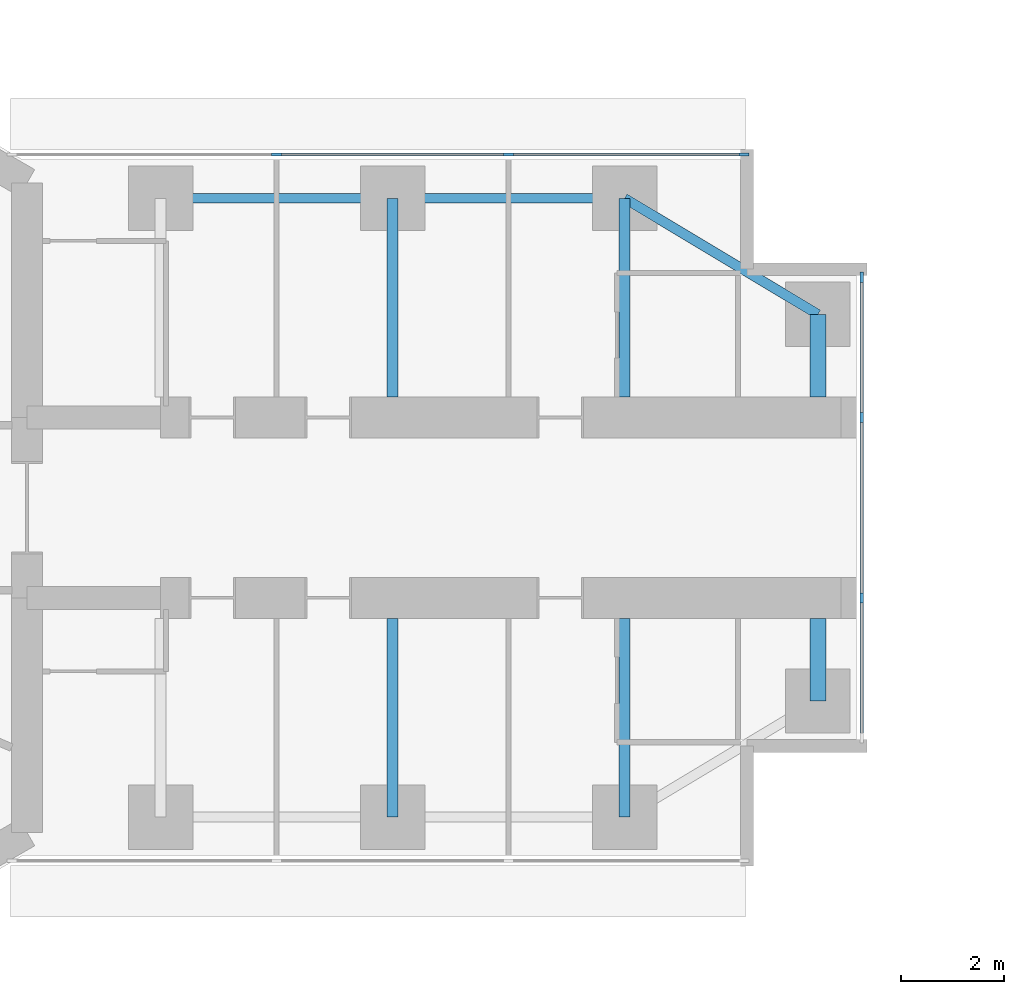
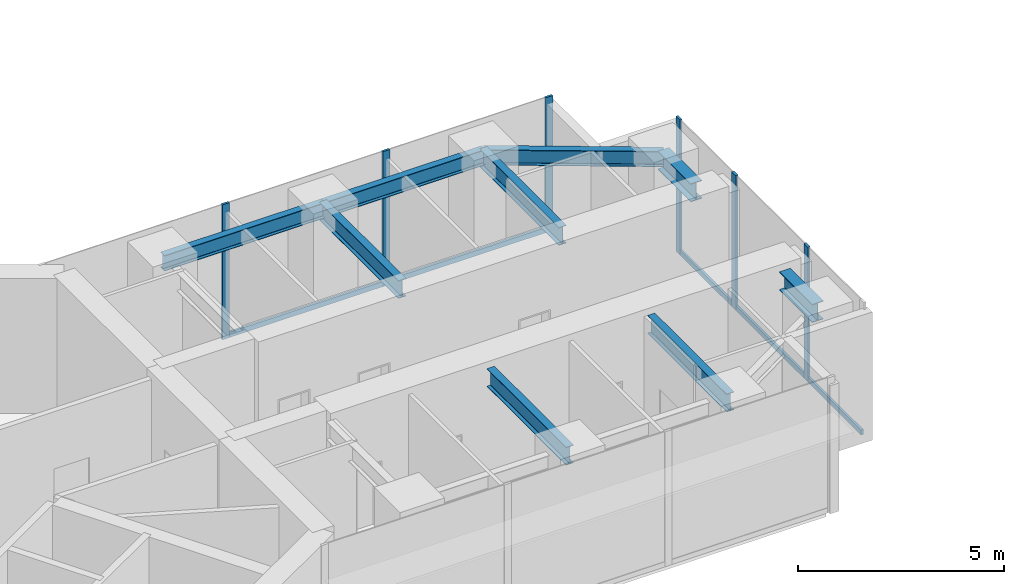
# One storey, part 7 of 23: 11 members, 9 beams, 2 elements without a shape of their own.
"""IFC4 building model written with IfcOpenShell, lengths in metres."""

from ifc_helpers import new_model, si_unit, direction, frame, origin, origin_2d, place, context, subcontext, project, spatial, rectangle, i_section, extrude, material, material_profile, profile_set, type_object, element, aggregate, save


model = new_model("IFC4")

# Units and contexts
model_context = context("Model", 3, precision=1e-05, world=origin(), true_north=direction((0.0, 1.0)))
body_context = subcontext(model_context, "Body", "Model", "MODEL_VIEW")
ifc_project = project(units=[si_unit("LENGTHUNIT", "METRE"), si_unit("AREAUNIT", "SQUARE_METRE"), si_unit("VOLUMEUNIT", "CUBIC_METRE"), si_unit("PLANEANGLEUNIT", "RADIAN"), si_unit("MASSUNIT", "GRAM", prefix="KILO")], contexts=[model_context])

# Site, building, storey
site_placement = place(None, origin())
site = spatial("IfcSite", under=ifc_project, at=site_placement, CompositionType="ELEMENT")
building_placement = place(site_placement, origin())
building = spatial("IfcBuilding", under=site, at=building_placement, Name="Upepo Twin Towers", CompositionType="ELEMENT")
storey_placement = place(building_placement, frame((0.0, 0.0, 153.5)))
storey = spatial("IfcBuildingStorey", under=building, at=storey_placement, Name="L37", CompositionType="ELEMENT", Elevation=153.5)

# Beams
ifc_material_1 = material(Name="Steel S355", Category="steel")
ifc_material_profile_1 = material_profile(ifc_material_1, i_section(OverallWidth=0.1904296875, OverallDepth=0.45703125, WebThickness=0.009033203125, FlangeThickness=0.014404296875, FilletRadius=0.01025390625, at=origin_2d()), Name="UB 457x191x74")
ifc_profile_set_1 = profile_set([ifc_material_profile_1], Name="Steel S355")
beam_type_1 = type_object("IfcBeamType", Name="Beam UB 457x191x74", PredefinedType="BEAM", material=ifc_profile_set_1)
for number, where, z_axis, x_axis, name in (
    (1, (13.5, 6.0, 3.571533203125), (1.0, 0.0, 0.0), (0.0, 1.0, 0.0), "T1 edge beam AL 13.5-18.0"),
    (2, (18.0, 6.0, 3.571533203125), (1.0, 0.0, 0.0), (0.0, 1.0, 0.0), "T1 edge beam AL 18.0-22.5"),
):
    element("IfcBeam", number, at=place(storey_placement, frame(where, z_axis=z_axis, x_axis=x_axis)), inside=storey, type_object=beam_type_1, Name=name, PredefinedType="BEAM", context=body_context, shape_type="SweptSolid", body=[
        extrude(i_section(OverallWidth=0.1904296875, OverallDepth=0.45703125, WebThickness=0.009033203125, FlangeThickness=0.014404296875, FilletRadius=0.01025390625, at=origin_2d()), origin(), (0.0, 0.0, 1.0), 4.5),
    ])
beam_placement = place(storey_placement, frame((22.5, 6.0, 3.571533203125), z_axis=(0.857492925713, -0.514495755428, 0.0), x_axis=(0.514495755428, 0.857492925713, 0.0)))
element("IfcBeam", 3, at=beam_placement, inside=storey, type_object=beam_type_1, Name="T1 nose edge beam AL", PredefinedType="BEAM", context=body_context, shape_type="SweptSolid", body=[
    extrude(i_section(OverallWidth=0.1904296875, OverallDepth=0.45703125, WebThickness=0.009033203125, FlangeThickness=0.014404296875, FilletRadius=0.01025390625, at=origin_2d()), origin(), (0.0, 0.0, 1.0), 4.373291015625),
])
ifc_material_2 = material(Name="Steel S355", Category="steel")
ifc_material_profile_2 = material_profile(ifc_material_2, i_section(OverallWidth=0.209228515625, OverallDepth=0.533203125, WebThickness=0.010009765625, FlangeThickness=0.015625, FilletRadius=0.0126953125, at=origin_2d()), Name="UB 533x210x92")
ifc_profile_set_2 = profile_set([ifc_material_profile_2], Name="Steel S355")
beam_type_2 = type_object("IfcBeamType", Name="Beam UB 533x210x92", PredefinedType="BEAM", material=ifc_profile_set_2)
for number, where, z_axis, x_axis, name in (
    (4, (18.0, 6.0, 3.533447265625), (0.0, -1.0, 0.0), (1.0, 0.0, 0.0), "T1 girder AL at 18.0"),
    (5, (22.5, 6.0, 3.533447265625), (0.0, -1.0, 0.0), (1.0, 0.0, 0.0), "T1 girder AL at 22.5"),
    (6, (18.0, -6.0, 3.533447265625), (0.0, 1.0, 0.0), (-1.0, 0.0, 0.0), "T1 girder AR at 18.0"),
    (7, (22.5, -6.0, 3.533447265625), (0.0, 1.0, 0.0), (-1.0, 0.0, 0.0), "T1 girder AR at 22.5"),
):
    element("IfcBeam", number, at=place(storey_placement, frame(where, z_axis=z_axis, x_axis=x_axis)), inside=storey, type_object=beam_type_2, Name=name, PredefinedType="BEAM", context=body_context, shape_type="SweptSolid", body=[
        extrude(i_section(OverallWidth=0.209228515625, OverallDepth=0.533203125, WebThickness=0.010009765625, FlangeThickness=0.015625, FilletRadius=0.0126953125, at=origin_2d()), origin(), (0.0, 0.0, 1.0), 3.85009765625),
    ])
ifc_material_3 = material(Name="Steel S355", Category="steel")
ifc_material_profile_3 = material_profile(ifc_material_3, i_section(OverallWidth=0.31201171875, OverallDepth=0.54345703125, WebThickness=0.0126953125, FlangeThickness=0.020263671875, FilletRadius=0.0126953125, at=origin_2d()), Name="UB 533x312x150")
ifc_profile_set_3 = profile_set([ifc_material_profile_3], Name="Steel S355")
beam_type_3 = type_object("IfcBeamType", Name="Beam UB 533x312x150", PredefinedType="BEAM", material=ifc_profile_set_3)
for number, where, z_axis, x_axis, name in (
    (8, (26.25, 3.75, 3.5283203125), (0.0, -1.0, 0.0), (1.0, 0.0, 0.0), "T1 nose beam AL"),
    (9, (26.25, -3.75, 3.5283203125), (0.0, 1.0, 0.0), (-1.0, 0.0, 0.0), "T1 nose beam AR"),
):
    element("IfcBeam", number, at=place(storey_placement, frame(where, z_axis=z_axis, x_axis=x_axis)), inside=storey, type_object=beam_type_3, Name=name, PredefinedType="BEAM", context=body_context, shape_type="SweptSolid", body=[
        extrude(i_section(OverallWidth=0.31201171875, OverallDepth=0.54345703125, WebThickness=0.0126953125, FlangeThickness=0.020263671875, FilletRadius=0.0126953125, at=origin_2d()), origin(), (0.0, 0.0, 1.0), 1.60009765625),
    ])

# Curtain wall, members
ifc_material_4 = material(Name="Aluminium and fritted glass", Category="aluminium")
curtain_wall_type = type_object("IfcCurtainWallType", Name="Tower curtain wall TW2, fritted glass", PredefinedType="NOTDEFINED", material=ifc_material_4)
curtain_wall_1_placement = place(storey_placement, origin())
curtain_wall_1 = element("IfcCurtainWall", 10, at=curtain_wall_1_placement, inside=storey, type_object=curtain_wall_type, Name="T1 L37 wing A flank L curtain wall", PredefinedType="NOTDEFINED")
ifc_material_5 = material(Name="Aluminium mullion", Category="aluminium")
ifc_material_profile_4 = material_profile(ifc_material_5, rectangle(XDim=0.06494140625, YDim=0.199951171875, at=origin_2d()), Name="MULLION 65x200")
ifc_profile_set_4 = profile_set([ifc_material_profile_4], Name="Aluminium mullion")
member_type_1 = type_object("IfcMemberType", Name="Mullion 65x200 TW2", PredefinedType="MULLION", material=ifc_profile_set_4)
member_1_placement = place(storey_placement, frame((15.75, 6.85009765625, 0.0), z_axis=(0.0, 0.0, 1.0), x_axis=(0.0, 1.0, 0.0)))
member_1 = element("IfcMember", 11, at=member_1_placement, type_object=member_type_1, Name="T1 L37 wing A flank L curtain wall mullion 2", PredefinedType="MULLION", context=body_context, shape_type="SweptSolid", body=[
    extrude(rectangle(XDim=0.06494140625, YDim=0.199951171875, at=origin_2d()), origin(), (0.0, 0.0, 1.0), 4.0),
])
member_2_placement = place(storey_placement, frame((20.25, 6.85009765625, 0.0), z_axis=(0.0, 0.0, 1.0), x_axis=(0.0, 1.0, 0.0)))
member_2 = element("IfcMember", 12, at=member_2_placement, type_object=member_type_1, Name="T1 L37 wing A flank L curtain wall mullion 3", PredefinedType="MULLION", context=body_context, shape_type="SweptSolid", body=[
    extrude(rectangle(XDim=0.06494140625, YDim=0.199951171875, at=origin_2d()), origin(), (0.0, 0.0, 1.0), 4.0),
])
member_3_placement = place(storey_placement, frame((24.8173828125, 6.85009765625, 0.0), z_axis=(0.0, 0.0, 1.0), x_axis=(0.0, 1.0, 0.0)))
member_3 = element("IfcMember", 13, at=member_3_placement, type_object=member_type_1, Name="T1 L37 wing A flank L curtain wall mullion 4", PredefinedType="MULLION", context=body_context, shape_type="SweptSolid", body=[
    extrude(rectangle(XDim=0.06494140625, YDim=0.199951171875, at=origin_2d()), origin(), (0.0, 0.0, 1.0), 4.0),
])

curtain_wall_2_placement = place(storey_placement, origin())
curtain_wall_2 = element("IfcCurtainWall", 14, at=curtain_wall_2_placement, inside=storey, type_object=curtain_wall_type, Name="T1 L37 wing A nose curtain wall", PredefinedType="NOTDEFINED")
member_4_placement = place(storey_placement, frame((27.10009765625, -1.75, 0.0), z_axis=(0.0, 0.0, 1.0), x_axis=(-1.0, 0.0, 0.0)))
member_4 = element("IfcMember", 15, at=member_4_placement, type_object=member_type_1, Name="T1 L37 wing A nose curtain wall mullion 2", PredefinedType="MULLION", context=body_context, shape_type="SweptSolid", body=[
    extrude(rectangle(XDim=0.06494140625, YDim=0.199951171875, at=origin_2d()), origin(), (0.0, 0.0, 1.0), 4.0),
])
member_5_placement = place(storey_placement, frame((27.10009765625, 1.75, 0.0), z_axis=(0.0, 0.0, 1.0), x_axis=(-1.0, 0.0, 0.0)))
member_5 = element("IfcMember", 16, at=member_5_placement, type_object=member_type_1, Name="T1 L37 wing A nose curtain wall mullion 3", PredefinedType="MULLION", context=body_context, shape_type="SweptSolid", body=[
    extrude(rectangle(XDim=0.06494140625, YDim=0.199951171875, at=origin_2d()), origin(), (0.0, 0.0, 1.0), 4.0),
])
member_6_placement = place(storey_placement, frame((27.10009765625, 4.467529296875, 0.0), z_axis=(0.0, 0.0, 1.0), x_axis=(-1.0, 0.0, 0.0)))
member_6 = element("IfcMember", 17, at=member_6_placement, type_object=member_type_1, Name="T1 L37 wing A nose curtain wall mullion 4", PredefinedType="MULLION", context=body_context, shape_type="SweptSolid", body=[
    extrude(rectangle(XDim=0.06494140625, YDim=0.199951171875, at=origin_2d()), origin(), (0.0, 0.0, 1.0), 4.0),
])

# Member
ifc_material_6 = material(Name="Aluminium transom", Category="aluminium")
ifc_material_profile_5 = material_profile(ifc_material_6, rectangle(XDim=0.06494140625, YDim=0.14990234375, at=origin_2d()), Name="TRANSOM 65x150")
ifc_profile_set_5 = profile_set([ifc_material_profile_5], Name="Aluminium transom")
member_type_2 = type_object("IfcMemberType", Name="Transom 65x150 TW2", PredefinedType="USERDEFINED", material=ifc_profile_set_5)
member_7_placement = place(storey_placement, frame((15.782470703125, 6.85009765625, 0.074951171875), z_axis=(1.0, 0.0, 0.0), x_axis=(0.0, 1.0, 0.0)))
member_7 = element("IfcMember", 18, at=member_7_placement, type_object=member_type_2, Name="T1 L37 wing A flank L curtain wall transom 2", ObjectType="TRANSOM", PredefinedType="USERDEFINED", context=body_context, shape_type="SweptSolid", body=[
    extrude(rectangle(XDim=0.06494140625, YDim=0.14990234375, at=origin_2d()), origin(), (0.0, 0.0, 1.0), 4.43505859375),
])

member_8_placement = place(storey_placement, frame((20.282470703125, 6.85009765625, 0.074951171875), z_axis=(1.0, 0.0, 0.0), x_axis=(0.0, 1.0, 0.0)))
member_8 = element("IfcMember", 19, at=member_8_placement, type_object=member_type_2, Name="T1 L37 wing A flank L curtain wall transom 3", ObjectType="TRANSOM", PredefinedType="USERDEFINED", context=body_context, shape_type="SweptSolid", body=[
    extrude(rectangle(XDim=0.06494140625, YDim=0.14990234375, at=origin_2d()), origin(), (0.0, 0.0, 1.0), 4.50244140625),
])

aggregate(curtain_wall_1, [member_1, member_2, member_3, member_7, member_8])

member_9_placement = place(storey_placement, frame((27.10009765625, -4.43505859375, 0.074951171875), z_axis=(0.0, 1.0, 0.0), x_axis=(-1.0, 0.0, 0.0)))
member_9 = element("IfcMember", 20, at=member_9_placement, type_object=member_type_2, Name="T1 L37 wing A nose curtain wall transom 1", ObjectType="TRANSOM", PredefinedType="USERDEFINED", context=body_context, shape_type="SweptSolid", body=[
    extrude(rectangle(XDim=0.06494140625, YDim=0.14990234375, at=origin_2d()), origin(), (0.0, 0.0, 1.0), 2.652587890625),
])

member_10_placement = place(storey_placement, frame((27.10009765625, -1.717529296875, 0.074951171875), z_axis=(0.0, 1.0, 0.0), x_axis=(-1.0, 0.0, 0.0)))
member_10 = element("IfcMember", 21, at=member_10_placement, type_object=member_type_2, Name="T1 L37 wing A nose curtain wall transom 2", ObjectType="TRANSOM", PredefinedType="USERDEFINED", context=body_context, shape_type="SweptSolid", body=[
    extrude(rectangle(XDim=0.06494140625, YDim=0.14990234375, at=origin_2d()), origin(), (0.0, 0.0, 1.0), 3.43505859375),
])

member_11_placement = place(storey_placement, frame((27.10009765625, 1.782470703125, 0.074951171875), z_axis=(0.0, 1.0, 0.0), x_axis=(-1.0, 0.0, 0.0)))
member_11 = element("IfcMember", 22, at=member_11_placement, type_object=member_type_2, Name="T1 L37 wing A nose curtain wall transom 3", ObjectType="TRANSOM", PredefinedType="USERDEFINED", context=body_context, shape_type="SweptSolid", body=[
    extrude(rectangle(XDim=0.06494140625, YDim=0.14990234375, at=origin_2d()), origin(), (0.0, 0.0, 1.0), 2.652587890625),
])

aggregate(curtain_wall_2, [member_4, member_5, member_6, member_9, member_10, member_11])

save(model, "model.ifc")
